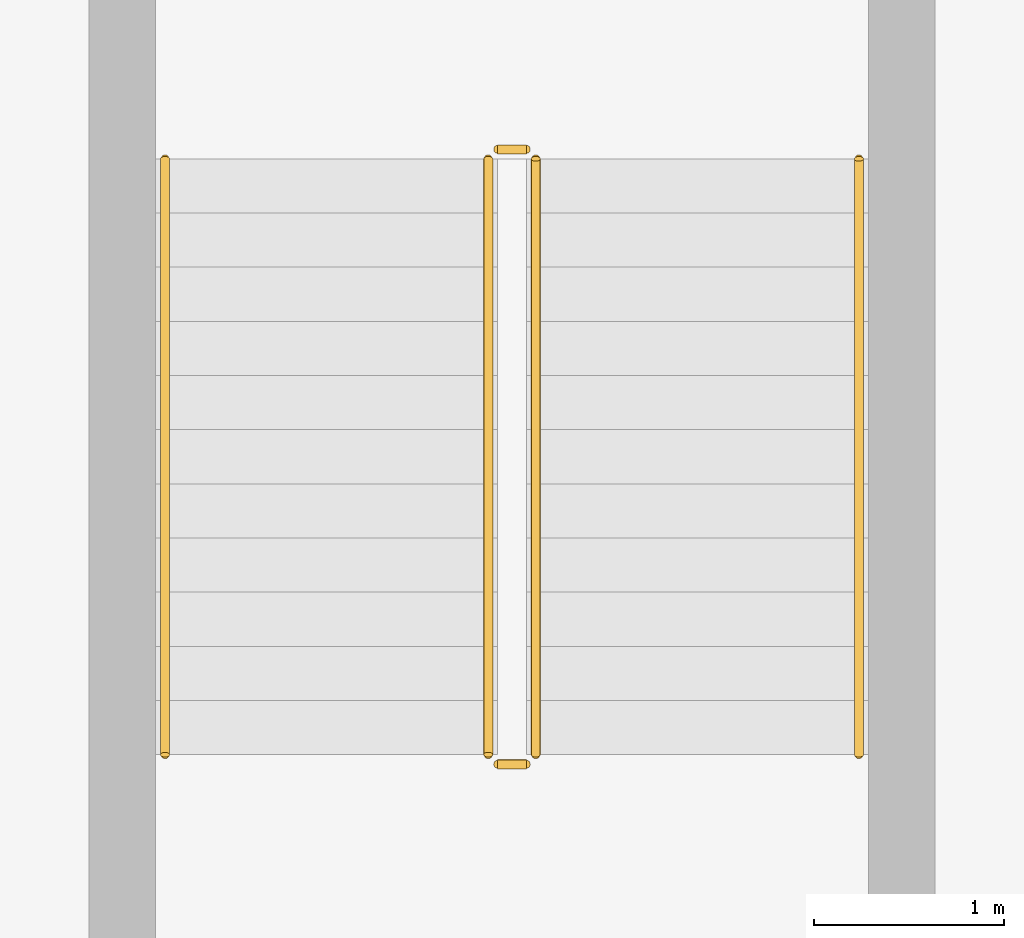
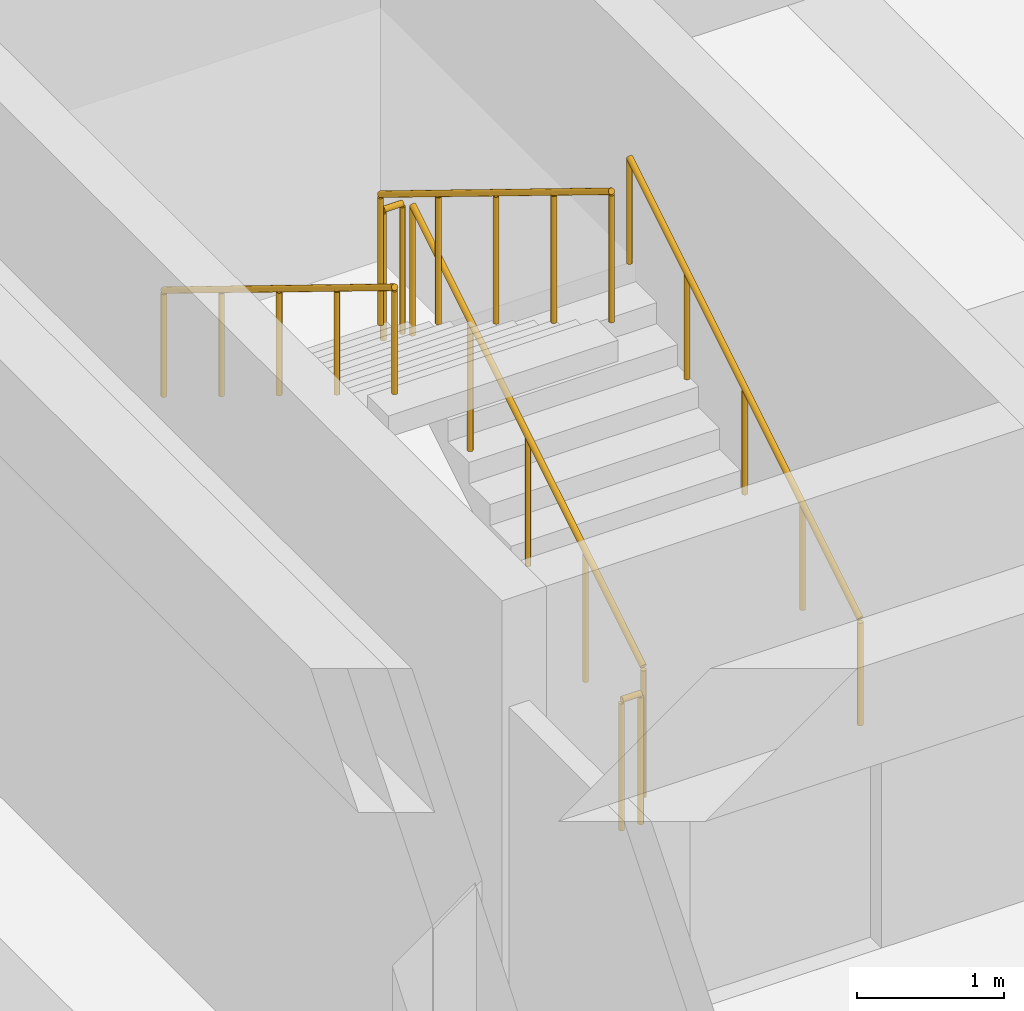
# One storey, part 25 of 31: 6 railings.
"""IFC4 building model written with IfcOpenShell, lengths in metres."""

from ifc_helpers import new_model, si_unit, direction, frame, origin, origin_2d, place, context, subcontext, project, spatial, circle, extrude, material, type_object, element, save


model = new_model("IFC4")

# Units and contexts
model_context = context("Model", 3, precision=1e-05, world=origin(), true_north=direction((0.0, 1.0)))
body_context = subcontext(model_context, "Body", "Model", "MODEL_VIEW")
ifc_project = project(units=[si_unit("LENGTHUNIT", "METRE"), si_unit("AREAUNIT", "SQUARE_METRE"), si_unit("VOLUMEUNIT", "CUBIC_METRE"), si_unit("PLANEANGLEUNIT", "RADIAN"), si_unit("MASSUNIT", "GRAM", prefix="KILO")], contexts=[model_context])

# Site, building, storey
site_placement = place(None, origin())
site = spatial("IfcSite", under=ifc_project, at=site_placement, CompositionType="ELEMENT")
building_placement = place(site_placement, origin())
building = spatial("IfcBuilding", under=site, at=building_placement, Name="Brisavento Harbour Community Centre", CompositionType="ELEMENT")
storey_placement = place(building_placement, frame((0.0, 0.0, -4.199951171875)))
storey = spatial("IfcBuildingStorey", under=building, at=storey_placement, Name="B1", CompositionType="ELEMENT", Elevation=-4.199951171875)

# Railings
ifc_material = material(Name="Stainless steel 1.4401", Category="steel")
railing_type_1 = type_object("IfcRailingType", Name="RL-ST-GUARD", PredefinedType="GUARDRAIL", material=ifc_material)
railing_1_placement = place(storey_placement, frame((3.64990234375, 18.199951171875, 0.175048828125)))
element("IfcRailing", 1, at=railing_1_placement, inside=storey, type_object=railing_type_1, Name="B1 ST-01 stair guard 1", PredefinedType="GUARDRAIL", context=body_context, shape_type="SweptSolid", body=[
    extrude(circle(Radius=0.02392578125, at=origin_2d()), frame((0.0, 0.0, 1.076171875), z_axis=(0.0, 0.852195625947, 0.523223293744), x_axis=(-1.0, 0.0, 0.0)), (0.0, 0.0, 1.0), 3.6787109375),
    extrude(circle(Radius=0.02099609375, at=origin_2d()), origin(), (0.0, 0.0, 1.0), 1.052001953125),
    extrude(circle(Radius=0.02099609375, at=origin_2d()), frame((0.0, 0.78369140625, 0.481201171875)), (0.0, 0.0, 1.0), 1.052001953125),
    extrude(circle(Radius=0.02099609375, at=origin_2d()), frame((0.0, 1.5673828125, 0.96240234375)), (0.0, 0.0, 1.0), 1.052001953125),
    extrude(circle(Radius=0.02099609375, at=origin_2d()), frame((0.0, 2.351318359375, 1.443603515625)), (0.0, 0.0, 1.0), 1.052001953125),
    extrude(circle(Radius=0.02099609375, at=origin_2d()), frame((0.0, 3.135009765625, 1.9248046875)), (0.0, 0.0, 1.0), 1.052001953125),
])
railing_2_placement = place(storey_placement, frame((3.60009765625, 21.385009765625, 2.099853515625)))
element("IfcRailing", 2, at=railing_2_placement, inside=storey, type_object=railing_type_1, Name="B1 ST-01 stair guard 2", PredefinedType="GUARDRAIL", context=body_context, shape_type="SweptSolid", body=[
    extrude(circle(Radius=0.02392578125, at=origin_2d()), frame((0.0, 0.0, 1.076171875), z_axis=(-1.0, 0.0, 0.0), x_axis=(0.0, -1.0, 0.0)), (0.0, 0.0, 1.0), 0.150146484375),
    extrude(circle(Radius=0.02099609375, at=origin_2d()), origin(), (0.0, 0.0, 1.0), 1.052001953125),
    extrude(circle(Radius=0.02099609375, at=origin_2d()), frame((-0.150146484375, 0.0, 0.0)), (0.0, 0.0, 1.0), 1.052001953125),
])
railing_3_placement = place(storey_placement, frame((3.39990234375, 21.3349609375, 2.27490234375)))
element("IfcRailing", 3, at=railing_3_placement, inside=storey, type_object=railing_type_1, Name="B1 ST-01 stair guard 3", PredefinedType="GUARDRAIL", context=body_context, shape_type="SweptSolid", body=[
    extrude(circle(Radius=0.02392578125, at=origin_2d()), frame((0.0, 0.0, 1.076171875), z_axis=(0.0, -0.852166034122, 0.523271488128), x_axis=(1.0, 0.0, 0.0)), (0.0, 0.0, 1.0), 3.678955078125),
    extrude(circle(Radius=0.02099609375, at=origin_2d()), origin(), (0.0, 0.0, 1.0), 1.052001953125),
    extrude(circle(Radius=0.02099609375, at=origin_2d()), frame((0.0, -0.78369140625, 0.481201171875)), (0.0, 0.0, 1.0), 1.052001953125),
    extrude(circle(Radius=0.02099609375, at=origin_2d()), frame((0.0, -1.5673828125, 0.96240234375)), (0.0, 0.0, 1.0), 1.052001953125),
    extrude(circle(Radius=0.02099609375, at=origin_2d()), frame((0.0, -2.351318359375, 1.44384765625)), (0.0, 0.0, 1.0), 1.052001953125),
    extrude(circle(Radius=0.02099609375, at=origin_2d()), frame((0.0, -3.135009765625, 1.925048828125)), (0.0, 0.0, 1.0), 1.052001953125),
])
railing_4_placement = place(storey_placement, frame((3.60009765625, 18.14990234375, 0.0)))
element("IfcRailing", 4, at=railing_4_placement, inside=storey, type_object=railing_type_1, Name="B1 ST-01 stair guard 4", PredefinedType="GUARDRAIL", context=body_context, shape_type="SweptSolid", body=[
    extrude(circle(Radius=0.02392578125, at=origin_2d()), frame((0.0, 0.0, 1.076171875), z_axis=(-1.0, 0.0, 0.0), x_axis=(0.0, -1.0, 0.0)), (0.0, 0.0, 1.0), 0.150146484375),
    extrude(circle(Radius=0.02099609375, at=origin_2d()), origin(), (0.0, 0.0, 1.0), 1.052001953125),
    extrude(circle(Radius=0.02099609375, at=origin_2d()), frame((-0.150146484375, 0.0, 0.0)), (0.0, 0.0, 1.0), 1.052001953125),
])
railing_type_2 = type_object("IfcRailingType", Name="RL-ST-HAND", PredefinedType="HANDRAIL", material=ifc_material)
railing_5_placement = place(storey_placement, frame((5.35009765625, 18.199951171875, 0.175048828125)))
element("IfcRailing", 5, at=railing_5_placement, inside=storey, type_object=railing_type_2, Name="B1 ST-01 stair handrail 1", PredefinedType="HANDRAIL", context=body_context, shape_type="SweptSolid", body=[
    extrude(circle(Radius=0.02392578125, at=origin_2d()), frame((0.0, 0.0, 0.8759765625), z_axis=(0.0, 0.852195625947, 0.523223293744), x_axis=(-1.0, 0.0, 0.0)), (0.0, 0.0, 1.0), 3.6787109375),
    extrude(circle(Radius=0.02099609375, at=origin_2d()), origin(), (0.0, 0.0, 1.0), 0.851806640625),
    extrude(circle(Radius=0.02099609375, at=origin_2d()), frame((0.0, 0.78369140625, 0.481201171875)), (0.0, 0.0, 1.0), 0.851806640625),
    extrude(circle(Radius=0.02099609375, at=origin_2d()), frame((0.0, 1.5673828125, 0.96240234375)), (0.0, 0.0, 1.0), 0.851806640625),
    extrude(circle(Radius=0.02099609375, at=origin_2d()), frame((0.0, 2.351318359375, 1.443603515625)), (0.0, 0.0, 1.0), 0.851806640625),
    extrude(circle(Radius=0.02099609375, at=origin_2d()), frame((0.0, 3.135009765625, 1.9248046875)), (0.0, 0.0, 1.0), 0.851806640625),
])
railing_6_placement = place(storey_placement, frame((1.699951171875, 21.3349609375, 2.27490234375)))
element("IfcRailing", 6, at=railing_6_placement, inside=storey, type_object=railing_type_2, Name="B1 ST-01 stair handrail 2", PredefinedType="HANDRAIL", context=body_context, shape_type="SweptSolid", body=[
    extrude(circle(Radius=0.02392578125, at=origin_2d()), frame((0.0, 0.0, 0.8759765625), z_axis=(0.0, -0.852166034122, 0.523271488128), x_axis=(1.0, 0.0, 0.0)), (0.0, 0.0, 1.0), 3.678955078125),
    extrude(circle(Radius=0.02099609375, at=origin_2d()), origin(), (0.0, 0.0, 1.0), 0.851806640625),
    extrude(circle(Radius=0.02099609375, at=origin_2d()), frame((0.0, -0.78369140625, 0.481201171875)), (0.0, 0.0, 1.0), 0.851806640625),
    extrude(circle(Radius=0.02099609375, at=origin_2d()), frame((0.0, -1.5673828125, 0.96240234375)), (0.0, 0.0, 1.0), 0.851806640625),
    extrude(circle(Radius=0.02099609375, at=origin_2d()), frame((0.0, -2.351318359375, 1.44384765625)), (0.0, 0.0, 1.0), 0.851806640625),
    extrude(circle(Radius=0.02099609375, at=origin_2d()), frame((0.0, -3.135009765625, 1.925048828125)), (0.0, 0.0, 1.0), 0.851806640625),
])

save(model, "model.ifc")
